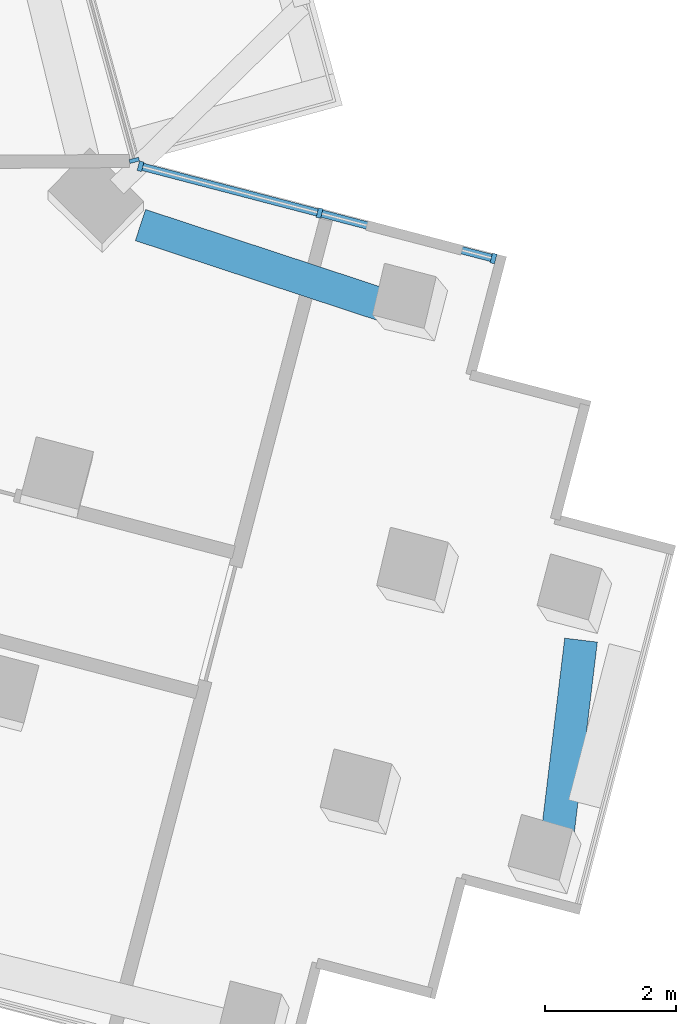
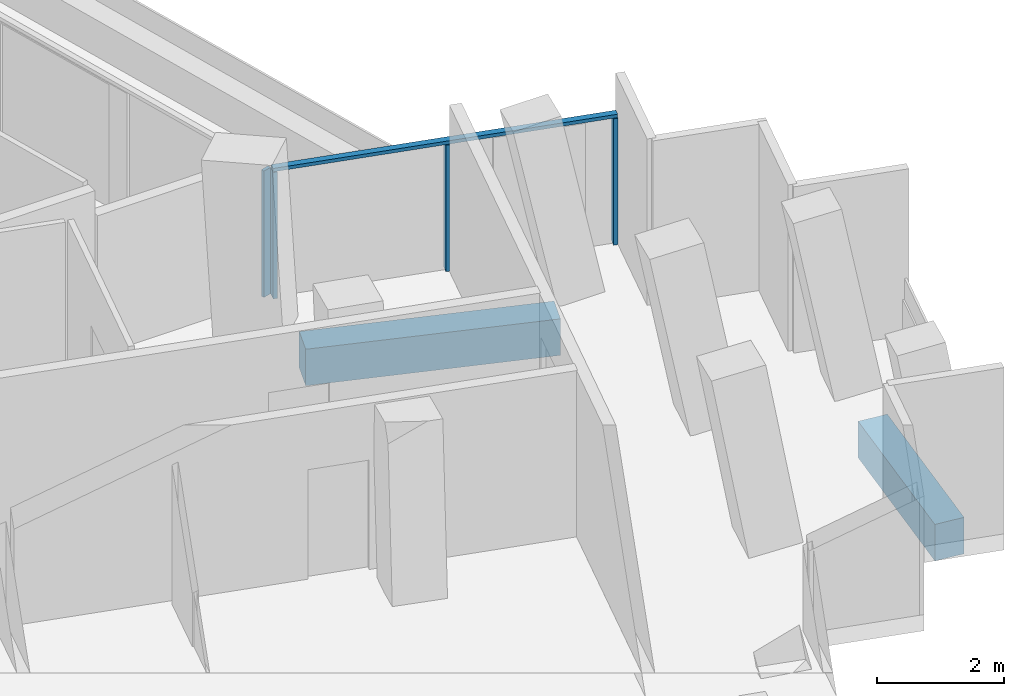
# One storey, part 6 of 26: 5 members, 2 beams, 2 elements without a shape of their own.
"""IFC4 building model written with IfcOpenShell, lengths in metres."""

from ifc_helpers import new_model, si_unit, direction, frame, origin, origin_2d, place, context, subcontext, project, spatial, rectangle, extrude, material, layer, layer_set, material_profile, profile_set, type_object, element, aggregate, save


model = new_model("IFC4")

# Units and contexts
model_context = context("Model", 3, precision=1e-05, world=origin(), true_north=direction((0.0, 1.0)))
body_context = subcontext(model_context, "Body", "Model", "MODEL_VIEW")
ifc_project = project(units=[si_unit("LENGTHUNIT", "METRE"), si_unit("AREAUNIT", "SQUARE_METRE"), si_unit("VOLUMEUNIT", "CUBIC_METRE"), si_unit("PLANEANGLEUNIT", "RADIAN"), si_unit("MASSUNIT", "GRAM", prefix="KILO")], contexts=[model_context])

# Site, building, storey
site_placement = place(None, origin())
site = spatial("IfcSite", under=ifc_project, at=site_placement, CompositionType="ELEMENT")
building_placement = place(site_placement, origin())
building = spatial("IfcBuilding", under=site, at=building_placement, Name="Verdalira Terraces Hotel", CompositionType="ELEMENT")
storey_placement = place(building_placement, frame((0.0, 0.0, 96.5)))
storey = spatial("IfcBuildingStorey", under=building, at=storey_placement, Name="L22", CompositionType="ELEMENT", Elevation=96.5)

# Curtain wall, member
ifc_material_1 = material(Name="Clear glass", Category="glass")
ifc_layer_1 = layer(ifc_material_1, 0.14990234375)
ifc_layer_set_1 = layer_set([ifc_layer_1], Name="CW1 curtain wall")
curtain_wall_type_1 = type_object("IfcCurtainWallType", Name="CW1 curtain wall", PredefinedType="NOTDEFINED", material=ifc_layer_set_1)
curtain_wall_1_placement = place(storey_placement, origin())
curtain_wall_1 = element("IfcCurtainWall", 1, at=curtain_wall_1_placement, inside=storey, type_object=curtain_wall_type_1, Name="CW1 curtain wall L22 edge 39", PredefinedType="NOTDEFINED")
ifc_material_2 = material(Name="Terracotta frame", Category="masonry")
ifc_material_profile_1 = material_profile(ifc_material_2, rectangle(XDim=0.060059, YDim=0.149902, at=origin_2d()), Name="MU 60x150")
ifc_profile_set_1 = profile_set([ifc_material_profile_1], Name="Terracotta frame")
member_type_1 = type_object("IfcMemberType", Name="CW1 mullion 60x150", PredefinedType="MULLION", material=ifc_profile_set_1)
member_1_placement = place(storey_placement, frame((25.033203, 0.166748, 0.0), z_axis=(0.0, 0.0, 1.0), x_axis=(-0.264882987, 0.964280562, 0.0)))
member_1 = element("IfcMember", 2, at=member_1_placement, type_object=member_type_1, Name="CW1 mullion", PredefinedType="MULLION", context=body_context, shape_type="SweptSolid", body=[
    extrude(rectangle(XDim=0.060059, YDim=0.149902, at=origin_2d()), origin(), (0.0, 0.0, 1.0), 2.425049),
])
aggregate(curtain_wall_1, [member_1])

# Curtain wall, members
ifc_material_3 = material(Name="Clear glass", Category="glass")
ifc_layer_2 = layer(ifc_material_3, 0.14990234375)
ifc_layer_set_2 = layer_set([ifc_layer_2], Name="CW2 curtain wall")
curtain_wall_type_2 = type_object("IfcCurtainWallType", Name="CW2 curtain wall", PredefinedType="NOTDEFINED", material=ifc_layer_set_2)
curtain_wall_2_placement = place(storey_placement, origin())
curtain_wall_2 = element("IfcCurtainWall", 3, at=curtain_wall_2_placement, inside=storey, type_object=curtain_wall_type_2, Name="CW2 curtain wall L22 edge 38", PredefinedType="NOTDEFINED")
ifc_material_4 = material(Name="Terracotta frame", Category="masonry")
ifc_material_profile_2 = material_profile(ifc_material_4, rectangle(XDim=0.070068, YDim=0.149902, at=origin_2d()), Name="MU 70x150")
ifc_profile_set_2 = profile_set([ifc_material_profile_2], Name="Terracotta frame")
member_type_2 = type_object("IfcMemberType", Name="CW2 mullion 70x150", PredefinedType="MULLION", material=ifc_profile_set_2)
member_2_placement = place(storey_placement, frame((30.498779, -1.326416, 0.0), z_axis=(0.0, 0.0, 1.0), x_axis=(-0.967532957, 0.252744885, 0.0)))
member_2 = element("IfcMember", 4, at=member_2_placement, type_object=member_type_2, Name="CW2 mullion", PredefinedType="MULLION", context=body_context, shape_type="SweptSolid", body=[
    extrude(rectangle(XDim=0.070068, YDim=0.149902, at=origin_2d()), origin(), (0.0, 0.0, 1.0), 2.425049),
])
member_3_placement = place(storey_placement, frame((27.852539, -0.635254, 0.0), z_axis=(0.0, 0.0, 1.0), x_axis=(-0.967532957, 0.252744885, 0.0)))
member_3 = element("IfcMember", 5, at=member_3_placement, type_object=member_type_2, Name="CW2 mullion", PredefinedType="MULLION", context=body_context, shape_type="SweptSolid", body=[
    extrude(rectangle(XDim=0.070068, YDim=0.149902, at=origin_2d()), origin(), (0.0, 0.0, 1.0), 2.425049),
])
member_4_placement = place(storey_placement, frame((25.128418, 0.076416, 0.0), z_axis=(0.0, 0.0, 1.0), x_axis=(-0.967532957, 0.252744885, 0.0)))
member_4 = element("IfcMember", 6, at=member_4_placement, type_object=member_type_2, Name="CW2 mullion", PredefinedType="MULLION", context=body_context, shape_type="SweptSolid", body=[
    extrude(rectangle(XDim=0.070068, YDim=0.149902, at=origin_2d()), origin(), (0.0, 0.0, 1.0), 2.425049),
])
ifc_material_5 = material(Name="Terracotta frame", Category="masonry")
ifc_material_profile_3 = material_profile(ifc_material_5, rectangle(XDim=0.11499, YDim=0.064941, at=origin_2d()), Name="TR 65x115")
ifc_profile_set_3 = profile_set([ifc_material_profile_3], Name="Terracotta frame")
member_type_3 = type_object("IfcMemberType", Name="CW2 transom 65x115", PredefinedType="USERDEFINED", material=ifc_profile_set_3)
member_5_placement = place(storey_placement, frame((30.532471, -1.335205, 2.45752), z_axis=(-0.967536032, 0.252733113, 0.0), x_axis=(-0.252733113, -0.967536032, 0.0)))
member_5 = element("IfcMember", 7, at=member_5_placement, type_object=member_type_3, Name="CW2 transom", ObjectType="TRANSOM", PredefinedType="USERDEFINED", context=body_context, shape_type="SweptSolid", body=[
    extrude(rectangle(XDim=0.11499, YDim=0.064941, at=origin_2d()), origin(), (0.0, 0.0, 1.0), 5.620117),
])
aggregate(curtain_wall_2, [member_2, member_3, member_4, member_5])

# Beams
ifc_material_6 = material(Name="Concrete C70", Category="concrete")
ifc_material_profile_4 = material_profile(ifc_material_6, rectangle(XDim=0.5, YDim=0.699951, at=origin_2d()), Name="RC 500X700")
ifc_profile_set_4 = profile_set([ifc_material_profile_4], Name="Concrete C70")
beam_type = type_object("IfcBeamType", Name="Spandrel beam RC 500X700 C70", PredefinedType="SPANDREL", material=ifc_profile_set_4)
beam_1_placement = place(storey_placement, frame((31.460693, -10.186279, -0.659912), z_axis=(0.119999537, 0.992773948, 0.0), x_axis=(-0.992773948, 0.119999537, 0.0)))
element("IfcBeam", 8, at=beam_1_placement, inside=storey, type_object=beam_type, Name="Spandrel beam B22", PredefinedType="SPANDREL", context=body_context, shape_type="SweptSolid", body=[
    extrude(rectangle(XDim=0.5, YDim=0.699951, at=origin_2d()), origin(), (0.0, 0.0, 1.0), 3.076172),
])
beam_2_placement = place(storey_placement, frame((29.013916, -2.098145, -0.659912), z_axis=(-0.949775381, 0.312932463, 0.0), x_axis=(-0.312932463, -0.949775381, 0.0)))
element("IfcBeam", 9, at=beam_2_placement, inside=storey, type_object=beam_type, Name="Spandrel beam B23", PredefinedType="SPANDREL", context=body_context, shape_type="SweptSolid", body=[
    extrude(rectangle(XDim=0.5, YDim=0.699951, at=origin_2d()), origin(), (0.0, 0.0, 1.0), 4.092041),
])

save(model, "model.ifc")
